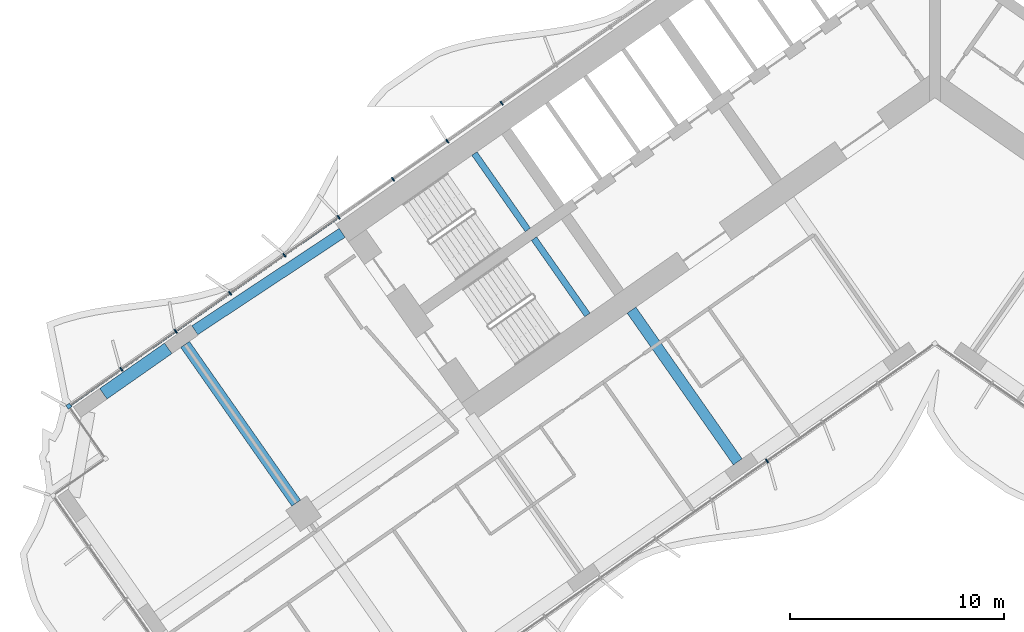
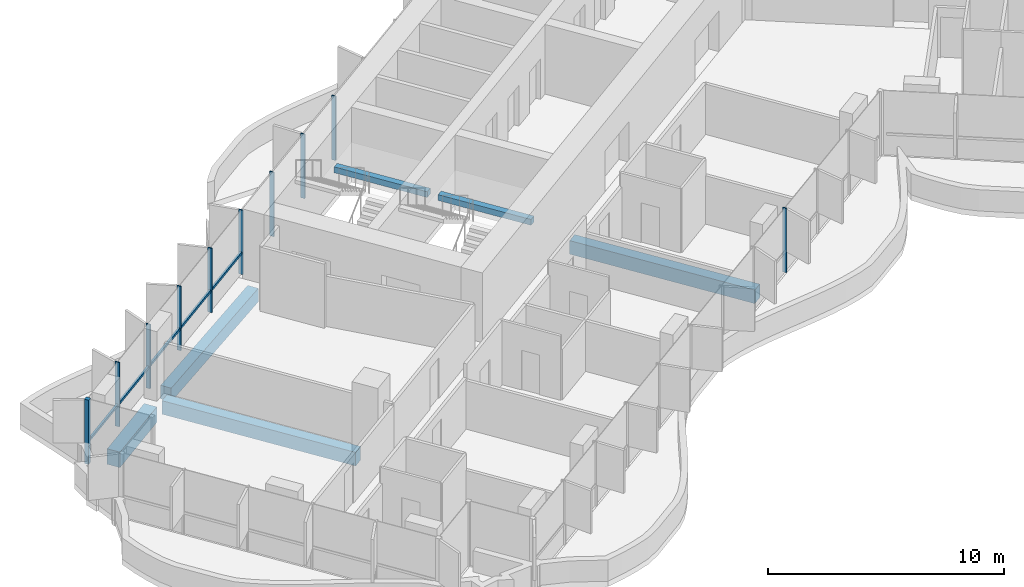
# One storey, part 4 of 23: 11 members, 6 beams, 2 elements without a shape of their own.
"""IFC4 building model written with IfcOpenShell, lengths in metres."""

from ifc_helpers import new_model, si_unit, direction, frame, origin, origin_2d, place, context, subcontext, project, spatial, rectangle, extrude, material, material_profile, profile_set, type_object, element, aggregate, save


model = new_model("IFC4")

# Units and contexts
model_context = context("Model", 3, precision=1e-05, world=origin(), true_north=direction((0.0, 1.0)))
body_context = subcontext(model_context, "Body", "Model", "MODEL_VIEW")
ifc_project = project(units=[si_unit("LENGTHUNIT", "METRE"), si_unit("AREAUNIT", "SQUARE_METRE"), si_unit("VOLUMEUNIT", "CUBIC_METRE"), si_unit("PLANEANGLEUNIT", "RADIAN"), si_unit("MASSUNIT", "GRAM", prefix="KILO")], contexts=[model_context])

# Site, building, storey
site_placement = place(None, origin())
site = spatial("IfcSite", under=ifc_project, at=site_placement, CompositionType="ELEMENT")
building_placement = place(site_placement, origin())
building = spatial("IfcBuilding", under=site, at=building_placement, Name="Tel Ilan Convention Tower", CompositionType="ELEMENT")
storey_placement = place(building_placement, frame((0.0, 0.0, 119.300048828125)))
storey = spatial("IfcBuildingStorey", under=building, at=storey_placement, Name="L26", CompositionType="ELEMENT", Elevation=119.300048828125)

# Beams
ifc_material_1 = material(Name="Concrete C40/50", Category="concrete")
ifc_material_profile_1 = material_profile(ifc_material_1, rectangle(XDim=0.5, YDim=0.699951171875, at=origin_2d()), Name="RC 500x700")
ifc_profile_set_1 = profile_set([ifc_material_profile_1], Name="Concrete C40/50")
beam_type_1 = type_object("IfcBeamType", Name="Beam RC 500x700 Concrete C40/50", PredefinedType="BEAM", material=ifc_profile_set_1)
beam_1_placement = place(storey_placement, frame((-34.570556640625, -12.08447265625, -0.630126953125), z_axis=(0.834273603487, 0.551350663847, 0.0), x_axis=(-0.551350663847, 0.834273603487, 0.0)))
element("IfcBeam", 1, at=beam_1_placement, inside=storey, type_object=beam_type_1, Name="L26 beam W-W-B4-core", PredefinedType="BEAM", context=body_context, shape_type="SweptSolid", body=[
    extrude(rectangle(XDim=0.5, YDim=0.699951171875, at=origin_2d()), origin(), (0.0, 0.0, 1.0), 8.2529296875),
])
beam_2_placement = place(storey_placement, frame((-9.209716796875, -18.229248046875, -0.630126953125), z_axis=(-0.573574099654, 0.819153680457, 0.0), x_axis=(-0.819153680457, -0.573574099654, 0.0)))
element("IfcBeam", 2, at=beam_2_placement, inside=storey, type_object=beam_type_1, Name="L26 beam W-W-F2-core", PredefinedType="BEAM", context=body_context, shape_type="SweptSolid", body=[
    extrude(rectangle(XDim=0.5, YDim=0.699951171875, at=origin_2d()), origin(), (0.0, 0.0, 1.0), 8.64990234375),
])
beam_3_placement = place(storey_placement, frame((-29.83349609375, -20.1572265625, -0.630126953125), z_axis=(-0.57358002233, 0.819149533348, 0.0), x_axis=(-0.819149533348, -0.57358002233, 0.0)))
element("IfcBeam", 3, at=beam_3_placement, inside=storey, type_object=beam_type_1, Name="L26 beam W-W-M4-W-B4", PredefinedType="BEAM", context=body_context, shape_type="SweptSolid", body=[
    extrude(rectangle(XDim=0.5, YDim=0.699951171875, at=origin_2d()), origin(), (0.0, 0.0, 1.0), 9.050048828125),
])
ifc_material_2 = material(Name="Concrete C40/50", Category="concrete")
ifc_material_profile_2 = material_profile(ifc_material_2, rectangle(XDim=0.60009765625, YDim=0.800048828125, at=origin_2d()), Name="RC 600x800")
ifc_profile_set_2 = profile_set([ifc_material_profile_2], Name="Concrete C40/50")
beam_type_2 = type_object("IfcBeamType", Name="Beam RC 600x800 Concrete C40/50", PredefinedType="BEAM", material=ifc_profile_set_2)
beam_4_placement = place(storey_placement, frame((-38.841796875, -15.050537109375, -0.679931640625), z_axis=(0.819185419371, 0.573528768842, 0.0), x_axis=(-0.573528768842, 0.819185419371, 0.0)))
element("IfcBeam", 4, at=beam_4_placement, inside=storey, type_object=beam_type_2, Name="L26 beam W-W-BC-W-B4", PredefinedType="BEAM", context=body_context, shape_type="SweptSolid", body=[
    extrude(rectangle(XDim=0.60009765625, YDim=0.800048828125, at=origin_2d()), origin(), (0.0, 0.0, 1.0), 3.699951171875),
])

# Curtain wall, member
ifc_material_3 = material(Name="Aluminium, bronze anodised", Category="aluminium")
curtain_wall_type_1 = type_object("IfcCurtainWallType", Name="CW1 UNITISED CURTAIN WALL, HOTEL TINTED GLASS", PredefinedType="NOTDEFINED", material=ifc_material_3)
curtain_wall_1_placement = place(storey_placement, origin())
curtain_wall_1 = element("IfcCurtainWall", 5, at=curtain_wall_1_placement, inside=storey, type_object=curtain_wall_type_1, Name="Curtain wall CW1-20.02", PredefinedType="NOTDEFINED")
ifc_material_4 = material(Name="Aluminium, bronze anodised", Category="aluminium")
ifc_material_profile_3 = material_profile(ifc_material_4, rectangle(XDim=0.199951171875, YDim=0.199951171875, at=origin_2d()), Name="CW CORNER MULLION 200x200")
ifc_profile_set_3 = profile_set([ifc_material_profile_3], Name="Aluminium, bronze anodised")
member_type_1 = type_object("IfcMemberType", Name="CW CORNER MULLION 200x200", PredefinedType="MULLION", material=ifc_profile_set_3)
member_1_placement = place(storey_placement, frame((-40.451416015625, -15.62841796875, 0.0), z_axis=(0.0, 0.0, 1.0), x_axis=(-0.819152044289, -0.573576436351, 0.0)))
member_1 = element("IfcMember", 6, at=member_1_placement, type_object=member_type_1, Name="Corner mullion", PredefinedType="MULLION", context=body_context, shape_type="SweptSolid", body=[
    extrude(rectangle(XDim=0.199951171875, YDim=0.199951171875, at=origin_2d()), origin(), (0.0, 0.0, 1.0), 3.320068359375),
])

# Curtain wall, members
ifc_material_5 = material(Name="Aluminium, bronze anodised", Category="aluminium")
curtain_wall_type_2 = type_object("IfcCurtainWallType", Name="CW2 STICK CURTAIN WALL, SPANDREL PANELS", PredefinedType="NOTDEFINED", material=ifc_material_5)
curtain_wall_2_placement = place(storey_placement, origin())
curtain_wall_2 = element("IfcCurtainWall", 7, at=curtain_wall_2_placement, inside=storey, type_object=curtain_wall_type_2, Name="Curtain wall CW2-20.01", PredefinedType="NOTDEFINED")
ifc_material_6 = material(Name="Aluminium, bronze anodised", Category="aluminium")
ifc_material_profile_4 = material_profile(ifc_material_6, rectangle(XDim=0.06005859375, YDim=0.199951171875, at=origin_2d()), Name="CW MULLION 60x200")
ifc_profile_set_4 = profile_set([ifc_material_profile_4], Name="Aluminium, bronze anodised")
member_type_2 = type_object("IfcMemberType", Name="CW MULLION 60x200", PredefinedType="MULLION", material=ifc_profile_set_4)
member_2_placement = place(storey_placement, frame((-20.238037109375, -1.474853515625, 0.0), z_axis=(0.0, 0.0, 1.0), x_axis=(-0.819152044289, -0.573576436351, 0.0)))
member_2 = element("IfcMember", 8, at=member_2_placement, type_object=member_type_2, Name="Mullion", PredefinedType="MULLION", context=body_context, shape_type="SweptSolid", body=[
    extrude(rectangle(XDim=0.06005859375, YDim=0.199951171875, at=origin_2d()), origin(), (0.0, 0.0, 1.0), 3.320068359375),
])
member_3_placement = place(storey_placement, frame((-22.77490234375, -3.251220703125, 0.0), z_axis=(0.0, 0.0, 1.0), x_axis=(-0.819152044289, -0.573576436351, 0.0)))
member_3 = element("IfcMember", 9, at=member_3_placement, type_object=member_type_2, Name="Mullion", PredefinedType="MULLION", context=body_context, shape_type="SweptSolid", body=[
    extrude(rectangle(XDim=0.06005859375, YDim=0.199951171875, at=origin_2d()), origin(), (0.0, 0.0, 1.0), 3.320068359375),
])
member_4_placement = place(storey_placement, frame((-25.311767578125, -5.027587890625, 0.0), z_axis=(0.0, 0.0, 1.0), x_axis=(-0.819152044289, -0.573576436351, 0.0)))
member_4 = element("IfcMember", 10, at=member_4_placement, type_object=member_type_2, Name="Mullion", PredefinedType="MULLION", context=body_context, shape_type="SweptSolid", body=[
    extrude(rectangle(XDim=0.06005859375, YDim=0.199951171875, at=origin_2d()), origin(), (0.0, 0.0, 1.0), 3.320068359375),
])
member_5_placement = place(storey_placement, frame((-27.848876953125, -6.803955078125, 0.0), z_axis=(0.0, 0.0, 1.0), x_axis=(-0.819152044289, -0.573576436351, 0.0)))
member_5 = element("IfcMember", 11, at=member_5_placement, type_object=member_type_2, Name="Mullion", PredefinedType="MULLION", context=body_context, shape_type="SweptSolid", body=[
    extrude(rectangle(XDim=0.06005859375, YDim=0.199951171875, at=origin_2d()), origin(), (0.0, 0.0, 1.0), 3.320068359375),
])
aggregate(curtain_wall_2, [member_2, member_3, member_4, member_5])

# Member
member_6_placement = place(storey_placement, frame((-30.3857421875, -8.580322265625, 0.0), z_axis=(0.0, 0.0, 1.0), x_axis=(-0.819152044289, -0.573576436351, 0.0)))
member_6 = element("IfcMember", 12, at=member_6_placement, type_object=member_type_2, Name="Mullion", PredefinedType="MULLION", context=body_context, shape_type="SweptSolid", body=[
    extrude(rectangle(XDim=0.06005859375, YDim=0.199951171875, at=origin_2d()), origin(), (0.0, 0.0, 1.0), 3.320068359375),
])

member_7_placement = place(storey_placement, frame((-32.922607421875, -10.356689453125, 0.0), z_axis=(0.0, 0.0, 1.0), x_axis=(-0.819152044289, -0.573576436351, 0.0)))
member_7 = element("IfcMember", 13, at=member_7_placement, type_object=member_type_2, Name="Mullion", PredefinedType="MULLION", context=body_context, shape_type="SweptSolid", body=[
    extrude(rectangle(XDim=0.06005859375, YDim=0.199951171875, at=origin_2d()), origin(), (0.0, 0.0, 1.0), 3.320068359375),
])

member_8_placement = place(storey_placement, frame((-35.45947265625, -12.133056640625, 0.0), z_axis=(0.0, 0.0, 1.0), x_axis=(-0.819152044289, -0.573576436351, 0.0)))
member_8 = element("IfcMember", 14, at=member_8_placement, type_object=member_type_2, Name="Mullion", PredefinedType="MULLION", context=body_context, shape_type="SweptSolid", body=[
    extrude(rectangle(XDim=0.06005859375, YDim=0.199951171875, at=origin_2d()), origin(), (0.0, 0.0, 1.0), 3.320068359375),
])

member_9_placement = place(storey_placement, frame((-37.99658203125, -13.909423828125, 0.0), z_axis=(0.0, 0.0, 1.0), x_axis=(-0.819152044289, -0.573576436351, 0.0)))
member_9 = element("IfcMember", 15, at=member_9_placement, type_object=member_type_2, Name="Mullion", PredefinedType="MULLION", context=body_context, shape_type="SweptSolid", body=[
    extrude(rectangle(XDim=0.06005859375, YDim=0.199951171875, at=origin_2d()), origin(), (0.0, 0.0, 1.0), 3.320068359375),
])

member_10_placement = place(storey_placement, frame((-7.842529296875, -18.1875, 0.0), z_axis=(0.0, 0.0, 1.0), x_axis=(0.819152044289, 0.573576436351, 0.0)))
member_10 = element("IfcMember", 16, at=member_10_placement, type_object=member_type_2, Name="Mullion", PredefinedType="MULLION", context=body_context, shape_type="SweptSolid", body=[
    extrude(rectangle(XDim=0.06005859375, YDim=0.199951171875, at=origin_2d()), origin(), (0.0, 0.0, 1.0), 3.320068359375),
])

ifc_material_7 = material(Name="Aluminium, bronze anodised", Category="aluminium")
ifc_material_profile_5 = material_profile(ifc_material_7, rectangle(XDim=0.10009765625, YDim=0.1201171875, at=origin_2d()), Name="CW TRANSOM 100x120")
ifc_profile_set_5 = profile_set([ifc_material_profile_5], Name="Aluminium, bronze anodised")
member_type_3 = type_object("IfcMemberType", Name="CW TRANSOM 100x120", PredefinedType="USERDEFINED", material=ifc_profile_set_5)
member_11_placement = place(storey_placement, frame((-27.873291015625, -6.821044921875, 1.099853515625), z_axis=(-0.819152967985, -0.573575117174, 0.0), x_axis=(0.573575117174, -0.819152967985, 0.0)))
member_11 = element("IfcMember", 17, at=member_11_placement, type_object=member_type_3, Name="Transom", ObjectType="TRANSOM", PredefinedType="USERDEFINED", context=body_context, shape_type="SweptSolid", body=[
    extrude(rectangle(XDim=0.10009765625, YDim=0.1201171875, at=origin_2d()), origin(), (0.0, 0.0, 1.0), 15.255126953125),
])

aggregate(curtain_wall_1, [member_6, member_7, member_8, member_9, member_1, member_11, member_10])

# Beams
ifc_material_8 = material(Name="Concrete C40/50", Category="concrete")
ifc_material_profile_6 = material_profile(ifc_material_8, rectangle(XDim=0.300048828125, YDim=0.300048828125, at=origin_2d()), Name="RC 300x300")
ifc_profile_set_6 = profile_set([ifc_material_profile_6], Name="Concrete C40/50")
beam_type_3 = type_object("IfcBeamType", Name="Landing Beam RC 300x300 Concrete C40/50", PredefinedType="BEAM", material=ifc_profile_set_6)
beam_5_placement = place(storey_placement, frame((-19.013671875, -7.392822265625, 1.449951171875), z_axis=(-0.57356780395, 0.819158088694, 0.0), x_axis=(-0.819158088694, -0.57356780395, 0.0)))
element("IfcBeam", 18, at=beam_5_placement, inside=storey, type_object=beam_type_3, Name="S1 landing beam L26.1", PredefinedType="BEAM", context=body_context, shape_type="SweptSolid", body=[
    extrude(rectangle(XDim=0.300048828125, YDim=0.300048828125, at=origin_2d()), origin(), (0.0, 0.0, 1.0), 4.35009765625),
])
beam_6_placement = place(storey_placement, frame((-16.231689453125, -11.365478515625, 1.449951171875), z_axis=(-0.573594173421, 0.819139624372, 0.0), x_axis=(-0.819139624372, -0.573594173421, 0.0)))
element("IfcBeam", 19, at=beam_6_placement, inside=storey, type_object=beam_type_3, Name="S2 landing beam L26.1", PredefinedType="BEAM", context=body_context, shape_type="SweptSolid", body=[
    extrude(rectangle(XDim=0.300048828125, YDim=0.300048828125, at=origin_2d()), origin(), (0.0, 0.0, 1.0), 4.349853515625),
])

save(model, "model.ifc")
